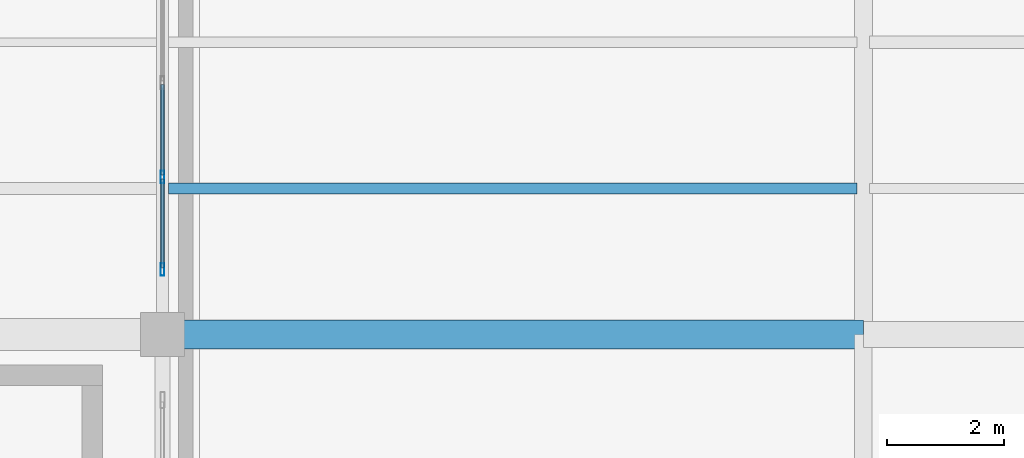
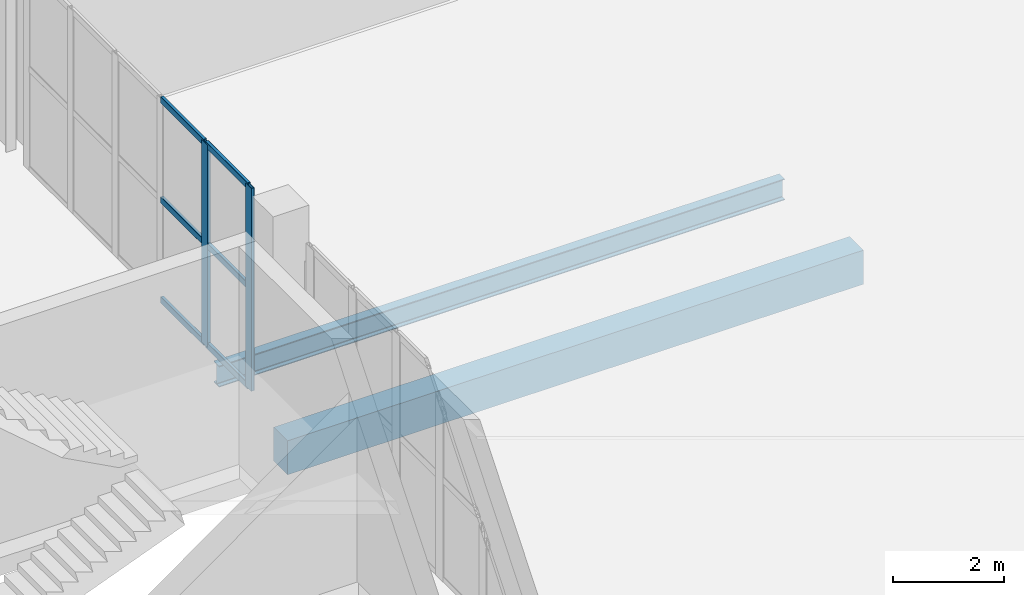
# One storey, part 72 of 136: 8 members, 2 beams, 1 element without a shape of its own.
"""IFC4 building model written with IfcOpenShell, lengths in metres."""

from ifc_helpers import new_model, si_unit, direction, frame, origin, origin_2d, place, context, subcontext, project, spatial, rectangle, hollow_rectangle, i_section, extrude, material, layer, layer_set, material_profile, profile_set, type_object, element, aggregate, save


model = new_model("IFC4")

# Units and contexts
model_context = context("Model", 3, precision=1e-05, world=origin(), true_north=direction((0.0, 1.0)))
body_context = subcontext(model_context, "Body", "Model", "MODEL_VIEW")
ifc_project = project(units=[si_unit("LENGTHUNIT", "METRE"), si_unit("AREAUNIT", "SQUARE_METRE"), si_unit("VOLUMEUNIT", "CUBIC_METRE"), si_unit("PLANEANGLEUNIT", "RADIAN"), si_unit("MASSUNIT", "GRAM", prefix="KILO")], contexts=[model_context])

# Site, building, storey
site_placement = place(None, origin())
site = spatial("IfcSite", under=ifc_project, at=site_placement, CompositionType="ELEMENT")
building_placement = place(site_placement, origin())
building = spatial("IfcBuilding", under=site, at=building_placement, Name="Brinegate Civic Arena", CompositionType="ELEMENT")
storey_placement = place(building_placement, frame((0.0, 0.0, 5.39990234375)))
storey = spatial("IfcBuildingStorey", under=building, at=storey_placement, Name="L01", CompositionType="ELEMENT", Elevation=5.39990234375)

# Curtain wall, members
ifc_material_1 = material(Name="Marine grade aluminium", Category="aluminium")
ifc_layer = layer(ifc_material_1, 0.199951171875, Name="Marine grade aluminium")
ifc_layer_set = layer_set([ifc_layer], Name="Marine grade aluminium")
curtain_wall_type = type_object("IfcCurtainWallType", Name="CW-BOWL-GLAZED-01", PredefinedType="USERDEFINED", material=ifc_layer_set)
curtain_wall_placement = place(storey_placement, origin())
curtain_wall = element("IfcCurtainWall", 1, at=curtain_wall_placement, inside=storey, type_object=curtain_wall_type, Name="Curtain Wall CWA-051", ObjectType="GLAZED CURTAIN WALL", PredefinedType="USERDEFINED")
ifc_material_profile_1 = material_profile(ifc_material_1, hollow_rectangle(XDim=0.06494140625, YDim=0.219970703125, WallThickness=0.006103515625, InnerFilletRadius=0.00390625, OuterFilletRadius=0.008056640625, at=origin_2d()), Name="MUL65X220")
ifc_profile_set_1 = profile_set([ifc_material_profile_1], Name="Marine grade aluminium")
member_type_1 = type_object("IfcMemberType", Name="CW-MULLION-65X220", PredefinedType="MULLION", material=ifc_profile_set_1)
member_1_placement = place(storey_placement, frame((168.0, 53.112548828125, 0.0), z_axis=(0.0, 0.0, 1.0), x_axis=(-1.0, 0.0, 0.0)))
member_1 = element("IfcMember", 2, at=member_1_placement, type_object=member_type_1, Name="CWA-051 mullion 1", PredefinedType="MULLION", context=body_context, shape_type="SweptSolid", body=[
    extrude(hollow_rectangle(XDim=0.06494140625, YDim=0.219970703125, WallThickness=0.006103515625, InnerFilletRadius=0.00390625, OuterFilletRadius=0.008056640625, at=origin_2d()), origin(), (0.0, 0.0, 1.0), 4.47021484375),
])
member_2_placement = place(storey_placement, frame((168.0, 54.695556640625, 0.0), z_axis=(0.0, 0.0, 1.0), x_axis=(-1.0, 0.0, 0.0)))
member_2 = element("IfcMember", 3, at=member_2_placement, type_object=member_type_1, Name="CWA-051 mullion 2", PredefinedType="MULLION", context=body_context, shape_type="SweptSolid", body=[
    extrude(hollow_rectangle(XDim=0.06494140625, YDim=0.219970703125, WallThickness=0.006103515625, InnerFilletRadius=0.00390625, OuterFilletRadius=0.008056640625, at=origin_2d()), origin(), (0.0, 0.0, 1.0), 4.47021484375),
])
ifc_material_profile_2 = material_profile(ifc_material_1, hollow_rectangle(XDim=0.06494140625, YDim=0.139892578125, WallThickness=0.0048828125, InnerFilletRadius=0.00390625, OuterFilletRadius=0.008056640625, at=origin_2d()), Name="TRN65X140")
ifc_profile_set_2 = profile_set([ifc_material_profile_2], Name="Marine grade aluminium")
member_type_2 = type_object("IfcMemberType", Name="CW-TRANSOM-65X140", PredefinedType="USERDEFINED", material=ifc_profile_set_2)
member_3_placement = place(storey_placement, frame((168.0, 53.14501953125, 0.03271484375), z_axis=(0.0, 1.0, 0.0), x_axis=(-1.0, 0.0, 0.0)))
member_3 = element("IfcMember", 4, at=member_3_placement, type_object=member_type_2, Name="CWA-051 transom 1.1", ObjectType="TRANSOM", PredefinedType="USERDEFINED", context=body_context, shape_type="SweptSolid", body=[
    extrude(hollow_rectangle(XDim=0.06494140625, YDim=0.139892578125, WallThickness=0.0048828125, InnerFilletRadius=0.00390625, OuterFilletRadius=0.008056640625, at=origin_2d()), origin(), (0.0, 0.0, 1.0), 1.51806640625),
])
member_4_placement = place(storey_placement, frame((168.0, 53.14501953125, 2.235107421875), z_axis=(0.0, 1.0, 0.0), x_axis=(-1.0, 0.0, 0.0)))
member_4 = element("IfcMember", 5, at=member_4_placement, type_object=member_type_2, Name="CWA-051 transom 1.2", ObjectType="TRANSOM", PredefinedType="USERDEFINED", context=body_context, shape_type="SweptSolid", body=[
    extrude(hollow_rectangle(XDim=0.06494140625, YDim=0.139892578125, WallThickness=0.0048828125, InnerFilletRadius=0.00390625, OuterFilletRadius=0.008056640625, at=origin_2d()), origin(), (0.0, 0.0, 1.0), 1.51806640625),
])
member_5_placement = place(storey_placement, frame((168.0, 53.14501953125, 4.4375), z_axis=(0.0, 1.0, 0.0), x_axis=(-1.0, 0.0, 0.0)))
member_5 = element("IfcMember", 6, at=member_5_placement, type_object=member_type_2, Name="CWA-051 transom 1.3", ObjectType="TRANSOM", PredefinedType="USERDEFINED", context=body_context, shape_type="SweptSolid", body=[
    extrude(hollow_rectangle(XDim=0.06494140625, YDim=0.139892578125, WallThickness=0.0048828125, InnerFilletRadius=0.00390625, OuterFilletRadius=0.008056640625, at=origin_2d()), origin(), (0.0, 0.0, 1.0), 1.51806640625),
])
member_6_placement = place(storey_placement, frame((168.0, 54.72802734375, 0.03271484375), z_axis=(0.0, 1.0, 0.0), x_axis=(-1.0, 0.0, 0.0)))
member_6 = element("IfcMember", 7, at=member_6_placement, type_object=member_type_2, Name="CWA-051 transom 2.1", ObjectType="TRANSOM", PredefinedType="USERDEFINED", context=body_context, shape_type="SweptSolid", body=[
    extrude(hollow_rectangle(XDim=0.06494140625, YDim=0.139892578125, WallThickness=0.0048828125, InnerFilletRadius=0.00390625, OuterFilletRadius=0.008056640625, at=origin_2d()), origin(), (0.0, 0.0, 1.0), 1.55078125),
])
member_7_placement = place(storey_placement, frame((168.0, 54.72802734375, 2.235107421875), z_axis=(0.0, 1.0, 0.0), x_axis=(-1.0, 0.0, 0.0)))
member_7 = element("IfcMember", 8, at=member_7_placement, type_object=member_type_2, Name="CWA-051 transom 2.2", ObjectType="TRANSOM", PredefinedType="USERDEFINED", context=body_context, shape_type="SweptSolid", body=[
    extrude(hollow_rectangle(XDim=0.06494140625, YDim=0.139892578125, WallThickness=0.0048828125, InnerFilletRadius=0.00390625, OuterFilletRadius=0.008056640625, at=origin_2d()), origin(), (0.0, 0.0, 1.0), 1.55078125),
])
member_8_placement = place(storey_placement, frame((168.0, 54.72802734375, 4.4375), z_axis=(0.0, 1.0, 0.0), x_axis=(-1.0, 0.0, 0.0)))
member_8 = element("IfcMember", 9, at=member_8_placement, type_object=member_type_2, Name="CWA-051 transom 2.3", ObjectType="TRANSOM", PredefinedType="USERDEFINED", context=body_context, shape_type="SweptSolid", body=[
    extrude(hollow_rectangle(XDim=0.06494140625, YDim=0.139892578125, WallThickness=0.0048828125, InnerFilletRadius=0.00390625, OuterFilletRadius=0.008056640625, at=origin_2d()), origin(), (0.0, 0.0, 1.0), 1.55078125),
])
aggregate(curtain_wall, [member_1, member_2, member_3, member_4, member_5, member_6, member_7, member_8])

# Beams
ifc_material_2 = material(Name="Steel S355", Category="steel")
ifc_material_profile_3 = material_profile(ifc_material_2, i_section(OverallWidth=0.193115234375, OverallDepth=0.466064453125, WebThickness=0.010986328125, FlangeThickness=0.01904296875, FilletRadius=0.014892578125, at=origin_2d()), Name="W460X97")
ifc_profile_set_3 = profile_set([ifc_material_profile_3], Name="Steel S355")
beam_type_1 = type_object("IfcBeamType", Name="JOIST-W460X97", PredefinedType="JOIST", material=ifc_profile_set_3)
beam_1_placement = place(storey_placement, frame((168.10595703125, 54.5, -0.572998046875), z_axis=(1.0, 0.0, 0.0), x_axis=(0.0, 1.0, 0.0)))
element("IfcBeam", 10, at=beam_1_placement, inside=storey, type_object=beam_type_1, Name="Secondary Joist BM-L01-JX-14-05-1", PredefinedType="JOIST", context=body_context, shape_type="SweptSolid", body=[
    extrude(i_section(OverallWidth=0.193115234375, OverallDepth=0.466064453125, WebThickness=0.010986328125, FlangeThickness=0.01904296875, FilletRadius=0.014892578125, at=origin_2d()), origin(), (0.0, 0.0, 1.0), 11.7880859375),
])
ifc_material_3 = material(Name="Concrete C50/60", Category="concrete")
ifc_material_profile_4 = material_profile(ifc_material_3, rectangle(XDim=0.5, YDim=0.75, at=origin_2d()), Name="RCB500X750")
ifc_profile_set_4 = profile_set([ifc_material_profile_4], Name="Concrete C50/60")
beam_type_2 = type_object("IfcBeamType", Name="RCG-500X750", PredefinedType="BEAM", material=ifc_profile_set_4)
beam_2_placement = place(storey_placement, frame((168.0, 52.0, -0.71484375), z_axis=(1.0, 0.0, 0.0), x_axis=(0.0, 1.0, 0.0)))
element("IfcBeam", 11, at=beam_2_placement, inside=storey, type_object=beam_type_2, Name="Floor Girder BM-L01-GX-14-05", PredefinedType="BEAM", context=body_context, shape_type="SweptSolid", body=[
    extrude(rectangle(XDim=0.5, YDim=0.75, at=origin_2d()), origin(), (0.0, 0.0, 1.0), 12.0),
])

save(model, "model.ifc")
